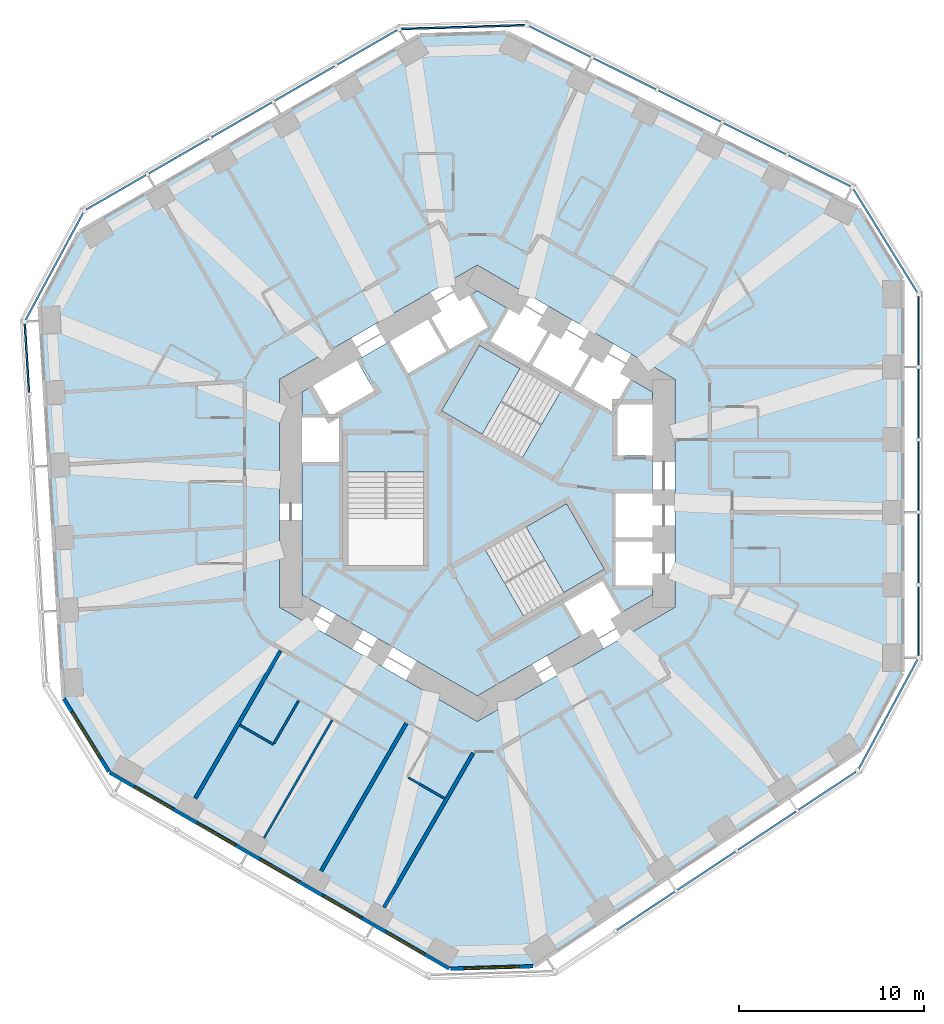
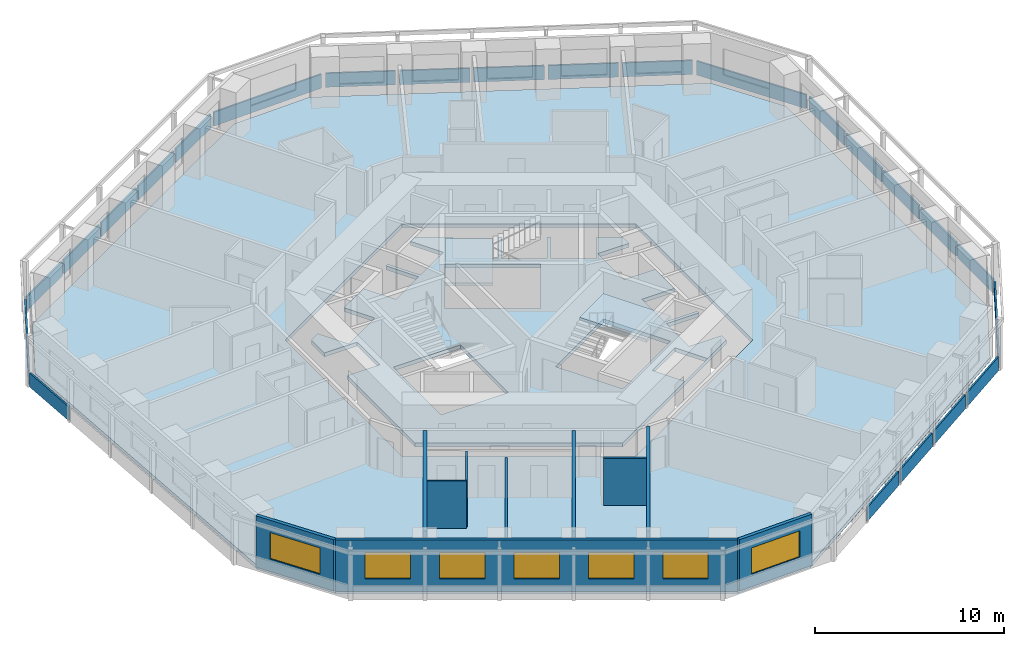
# One storey, part 3 of 12: 24 plates, 10 walls, 7 windows, 4 slabs, 7 openings, 11 elements without a shape of their own.
"""IFC4 building model written with IfcOpenShell, lengths in metres."""

from ifc_helpers import new_model, si_unit, direction, frame, frame_2d, origin, origin_2d, place, context, subcontext, project, spatial, polyline, rectangle, outline, extrude, material, layer, layer_set, type_object, element, fill, aggregate, save


model = new_model("IFC4")

# Units and contexts
model_context = context("Model", 3, precision=1e-05, world=origin(), true_north=direction((0.0, 1.0)))
body_context = subcontext(model_context, "Body", "Model", "MODEL_VIEW")
ifc_project = project(units=[si_unit("LENGTHUNIT", "METRE"), si_unit("AREAUNIT", "SQUARE_METRE"), si_unit("VOLUMEUNIT", "CUBIC_METRE"), si_unit("PLANEANGLEUNIT", "RADIAN"), si_unit("MASSUNIT", "GRAM", prefix="KILO")], contexts=[model_context])

# Site, building, storey
site_placement = place(None, origin())
site = spatial("IfcSite", under=ifc_project, at=site_placement, CompositionType="ELEMENT")
building_placement = place(site_placement, origin())
building = spatial("IfcBuilding", under=site, at=building_placement, Name="Vanh Sen Convention Tower", CompositionType="ELEMENT")
storey_placement = place(building_placement, frame((0.0, 0.0, 53.89990234375)))
storey = spatial("IfcBuildingStorey", under=building, at=storey_placement, Name="L10", CompositionType="ELEMENT", Elevation=53.89990234375)

# Slabs
ifc_material_1 = material(Name="Concrete C40/50", Category="concrete")
ifc_layer_1 = layer(ifc_material_1, 0.25)
ifc_layer_set_1 = layer_set([ifc_layer_1], Name="Concrete C40/50")
slab_type_1 = type_object("IfcSlabType", Name="Core slab 250", PredefinedType="FLOOR", material=ifc_layer_set_1)
slab_1_placement = place(storey_placement, frame((0.0, 0.0, -0.25)))
element("IfcSlab", 1, at=slab_1_placement, inside=storey, type_object=slab_type_1, Name="Core slab L10", PredefinedType="FLOOR", context=body_context, shape_type="SweptSolid", body=[
    extrude(outline(polyline([(9.5, 5.48486328125), (9.5, 4.800048828125), (7.60009765625, 4.800048828125), (7.60009765625, 2.050048828125), (9.5, 2.050048828125), (9.5, 0.0), (7.5, 0.0), (7.5, -2.39990234375), (9.5, -2.39990234375), (9.5, -2.60009765625), (7.5, -2.60009765625), (7.5, -5.0), (9.5, -5.0), (9.5, -5.48486328125), (0.0, -10.9697265625), (-9.5, -5.48486328125), (-9.5, 1.699951171875), (-7.5, 1.699951171875), (-7.5, 4.10009765625), (-9.5, 4.10009765625), (-9.5, 5.48486328125), (-8.906982421875, 5.8271484375), (-7.956787109375, 4.181884765625), (-5.575439453125, 5.556884765625), (-6.525390625, 7.2021484375), (-4.75, 8.227294921875), (-3.75, 6.4951171875), (-1.67138671875, 7.6953125), (-2.67138671875, 9.42724609375), (-2.498291015625, 9.527099609375), (-1.498291015625, 7.795166015625), (0.580078125, 8.9951171875), (-0.419921875, 10.727294921875), (0.0, 10.9697265625), (1.718994140625, 9.977294921875), (0.718994140625, 8.2451171875), (2.79736328125, 7.045166015625), (3.79736328125, 8.777099609375), (3.970703125, 8.67724609375), (2.970703125, 6.9453125), (5.049072265625, 5.7451171875), (6.049072265625, 7.477294921875), (6.22216796875, 7.377197265625), (5.22216796875, 5.645263671875), (7.30078125, 4.4453125), (8.30078125, 6.17724609375), (9.5, 5.48486328125)]), holes=[polyline([(-7.0, 3.14990234375), (-7.0, -3.909912109375), (-2.89990234375, -3.909912109375), (-2.89990234375, 3.14990234375), (-2.89990234375, 1.1494140625), (-7.0, 1.1494140625), (-7.0, 3.14990234375)]), polyline([(4.495361328125, 5.487548828125), (6.22802734375, 4.4873046875), (0.11376953125, 8.01708984375), (-1.936279296875, 4.466552734375), (2.4453125, 1.936767578125), (4.495361328125, 5.487548828125)]), polyline([(7.781005859375, -6.477294921875), (6.781005859375, -4.7451171875), (4.70263671875, -5.9453125), (5.70263671875, -7.67724609375), (7.781005859375, -6.477294921875)]), polyline([(0.45458984375, -3.086181640625), (2.504638671875, -6.63671875), (6.88623046875, -4.107177734375), (4.836181640625, -0.556396484375), (-1.278076171875, -4.08642578125), (0.45458984375, -3.086181640625)])]), origin(), (0.0, 0.0, 1.0), 0.25),
])
ifc_layer_2 = layer(ifc_material_1, 0.25)
ifc_layer_set_2 = layer_set([ifc_layer_2], Name="Concrete C40/50")
slab_type_2 = type_object("IfcSlabType", Name="Floor slab 250 REI 120", PredefinedType="FLOOR", material=ifc_layer_set_2)
slab_2_placement = place(storey_placement, frame((0.0, 0.0, -0.25)))
element("IfcSlab", 2, at=slab_2_placement, inside=storey, type_object=slab_type_2, Name="Floor slab L10 tower", PredefinedType="FLOOR", context=body_context, shape_type="SweptSolid", body=[
    extrude(outline(polyline([(23.0, -9.69921875), (23.0, 11.57373046875), (20.620361328125, 15.419189453125), (1.58251953125, 24.911376953125), (-3.10009765625, 24.768310546875), (-21.523193359375, 14.131591796875), (-23.663818359375, 10.14794921875), (-22.364990234375, -11.085205078125), (-19.89990234375, -15.069091796875), (-1.476806640625, -25.705322265625), (3.04345703125, -25.5673828125), (20.78271484375, -13.825927734375), (23.0, -9.69921875)]), holes=[polyline([(0.0, 12.355224609375), (-10.699951171875, 6.177490234375), (-10.699951171875, -6.177490234375), (0.0, -12.355224609375), (10.699951171875, -6.177490234375), (10.699951171875, 6.177490234375), (0.0, 12.355224609375)])]), origin(), (0.0, 0.0, 1.0), 0.25),
])

# Curtain wall, plates
ifc_material_2 = material(Name="Concrete C50/60", Category="concrete")
curtain_wall_type = type_object("IfcCurtainWallType", Name="Outer skin hotel zone", PredefinedType="NOTDEFINED", material=ifc_material_2)
curtain_wall_1_placement = place(storey_placement, origin())
curtain_wall_1 = element("IfcCurtainWall", 3, at=curtain_wall_1_placement, inside=storey, type_object=curtain_wall_type, Name="OUTER SKIN E L10", PredefinedType="NOTDEFINED")
ifc_layer_3 = layer(ifc_material_2, 0.10009765625)
ifc_layer_set_3 = layer_set([ifc_layer_3], Name="Concrete C50/60")
plate_type = type_object("IfcPlateType", Name="Outer skin precast screen panel 100", PredefinedType="CURTAIN_PANEL", material=ifc_layer_set_3)
plate_1_placement = place(storey_placement, frame((23.89990234375, -6.91943359375, 0.000244140625), z_axis=(0.0, 0.0, 1.0), x_axis=(0.0, 1.0, 0.0)))
plate_1 = element("IfcPlate", 4, at=plate_1_placement, type_object=plate_type, Name="OUTER SKIN screen panel E-1", PredefinedType="CURTAIN_PANEL", context=body_context, shape_type="SweptSolid", body=[
    extrude(rectangle(XDim=3.709716796875, YDim=0.10009765625, at=origin_2d()), origin(), (0.0, 0.0, 1.0), 0.89990234375),
])
plate_2_placement = place(storey_placement, frame((23.89990234375, -2.997314453125, 0.000244140625), z_axis=(0.0, 0.0, 1.0), x_axis=(0.0, 1.0, 0.0)))
plate_2 = element("IfcPlate", 5, at=plate_2_placement, type_object=plate_type, Name="OUTER SKIN screen panel E-2", PredefinedType="CURTAIN_PANEL", context=body_context, shape_type="SweptSolid", body=[
    extrude(rectangle(XDim=3.734619140625, YDim=0.10009765625, at=origin_2d()), origin(), (0.0, 0.0, 1.0), 0.89990234375),
])
plate_3_placement = place(storey_placement, frame((23.89990234375, 0.937255859375, 0.000244140625), z_axis=(0.0, 0.0, 1.0), x_axis=(0.0, 1.0, 0.0)))
plate_3 = element("IfcPlate", 6, at=plate_3_placement, type_object=plate_type, Name="OUTER SKIN screen panel E-3", PredefinedType="CURTAIN_PANEL", context=body_context, shape_type="SweptSolid", body=[
    extrude(rectangle(XDim=3.734619140625, YDim=0.10009765625, at=origin_2d()), origin(), (0.0, 0.0, 1.0), 0.89990234375),
])
plate_4_placement = place(storey_placement, frame((23.89990234375, 4.871826171875, 0.000244140625), z_axis=(0.0, 0.0, 1.0), x_axis=(0.0, 1.0, 0.0)))
plate_4 = element("IfcPlate", 7, at=plate_4_placement, type_object=plate_type, Name="OUTER SKIN screen panel E-4", PredefinedType="CURTAIN_PANEL", context=body_context, shape_type="SweptSolid", body=[
    extrude(rectangle(XDim=3.734619140625, YDim=0.10009765625, at=origin_2d()), origin(), (0.0, 0.0, 1.0), 0.89990234375),
])
plate_5_placement = place(storey_placement, frame((23.89990234375, 8.7939453125, 0.000244140625), z_axis=(0.0, 0.0, 1.0), x_axis=(0.0, 1.0, 0.0)))
plate_5 = element("IfcPlate", 8, at=plate_5_placement, type_object=plate_type, Name="OUTER SKIN screen panel E-5", PredefinedType="CURTAIN_PANEL", context=body_context, shape_type="SweptSolid", body=[
    extrude(rectangle(XDim=3.709716796875, YDim=0.10009765625, at=origin_2d()), origin(), (0.0, 0.0, 1.0), 0.89990234375),
])
aggregate(curtain_wall_1, [plate_1, plate_2, plate_3, plate_4, plate_5])

# Curtain wall, plate
curtain_wall_2_placement = place(storey_placement, origin())
curtain_wall_2 = element("IfcCurtainWall", 9, at=curtain_wall_2_placement, inside=storey, type_object=curtain_wall_type, Name="OUTER SKIN CH1 L10", PredefinedType="NOTDEFINED")
plate_6_placement = place(storey_placement, frame((22.102783203125, 13.677734375, 0.000244140625), z_axis=(0.0, 0.0, 1.0), x_axis=(-0.526212439506, 0.850353143411, 0.0)))
plate_6 = element("IfcPlate", 10, at=plate_6_placement, type_object=plate_type, Name="OUTER SKIN screen panel CH1-1", PredefinedType="CURTAIN_PANEL", context=body_context, shape_type="SweptSolid", body=[
    extrude(rectangle(XDim=6.580078125, YDim=0.10009765625, at=origin_2d()), origin(), (0.0, 0.0, 1.0), 0.89990234375),
])
aggregate(curtain_wall_2, [plate_6])

# Curtain wall, plates
curtain_wall_3_placement = place(storey_placement, origin())
curtain_wall_3 = element("IfcCurtainWall", 11, at=curtain_wall_3_placement, inside=storey, type_object=curtain_wall_type, Name="OUTER SKIN NE L10", PredefinedType="NOTDEFINED")
plate_7_placement = place(storey_placement, frame((18.5341796875, 17.465087890625, 0.000244140625), z_axis=(0.0, 0.0, 1.0), x_axis=(-0.894935140363, 0.446196251154, 0.0)))
plate_7 = element("IfcPlate", 12, at=plate_7_placement, type_object=plate_type, Name="OUTER SKIN screen panel NE-1", PredefinedType="CURTAIN_PANEL", context=body_context, shape_type="SweptSolid", body=[
    extrude(rectangle(XDim=3.709716796875, YDim=0.10009765625, at=origin_2d()), origin(), (0.0, 0.0, 1.0), 0.89990234375),
])
plate_8_placement = place(storey_placement, frame((15.024169921875, 19.215087890625, 0.000244140625), z_axis=(0.0, 0.0, 1.0), x_axis=(-0.894935140363, 0.446196251154, 0.0)))
plate_8 = element("IfcPlate", 13, at=plate_8_placement, type_object=plate_type, Name="OUTER SKIN screen panel NE-2", PredefinedType="CURTAIN_PANEL", context=body_context, shape_type="SweptSolid", body=[
    extrude(rectangle(XDim=3.734619140625, YDim=0.10009765625, at=origin_2d()), origin(), (0.0, 0.0, 1.0), 0.89990234375),
])
plate_9_placement = place(storey_placement, frame((11.5029296875, 20.970703125, 0.000244140625), z_axis=(0.0, 0.0, 1.0), x_axis=(-0.894935140363, 0.446196251154, 0.0)))
plate_9 = element("IfcPlate", 14, at=plate_9_placement, type_object=plate_type, Name="OUTER SKIN screen panel NE-3", PredefinedType="CURTAIN_PANEL", context=body_context, shape_type="SweptSolid", body=[
    extrude(rectangle(XDim=3.734619140625, YDim=0.10009765625, at=origin_2d()), origin(), (0.0, 0.0, 1.0), 0.89990234375),
])
plate_10_placement = place(storey_placement, frame((7.981689453125, 22.726318359375, 0.000244140625), z_axis=(0.0, 0.0, 1.0), x_axis=(-0.894935140363, 0.446196251154, 0.0)))
plate_10 = element("IfcPlate", 15, at=plate_10_placement, type_object=plate_type, Name="OUTER SKIN screen panel NE-4", PredefinedType="CURTAIN_PANEL", context=body_context, shape_type="SweptSolid", body=[
    extrude(rectangle(XDim=3.734619140625, YDim=0.10009765625, at=origin_2d()), origin(), (0.0, 0.0, 1.0), 0.89990234375),
])
plate_11_placement = place(storey_placement, frame((4.4716796875, 24.476318359375, 0.000244140625), z_axis=(0.0, 0.0, 1.0), x_axis=(-0.894935140363, 0.446196251154, 0.0)))
plate_11 = element("IfcPlate", 16, at=plate_11_placement, type_object=plate_type, Name="OUTER SKIN screen panel NE-5", PredefinedType="CURTAIN_PANEL", context=body_context, shape_type="SweptSolid", body=[
    extrude(rectangle(XDim=3.709716796875, YDim=0.10009765625, at=origin_2d()), origin(), (0.0, 0.0, 1.0), 0.89990234375),
])
aggregate(curtain_wall_3, [plate_7, plate_8, plate_9, plate_10, plate_11])

# Curtain wall, plate
curtain_wall_4_placement = place(storey_placement, origin())
curtain_wall_4 = element("IfcCurtainWall", 17, at=curtain_wall_4_placement, inside=storey, type_object=curtain_wall_type, Name="OUTER SKIN CH2 L10", PredefinedType="NOTDEFINED")
plate_12_placement = place(storey_placement, frame((-0.771484375, 25.253662109375, 0.000244140625), z_axis=(0.0, 0.0, 1.0), x_axis=(-0.999533644135, -0.030536768695, 0.0)))
plate_12 = element("IfcPlate", 18, at=plate_12_placement, type_object=plate_type, Name="OUTER SKIN screen panel CH2-1", PredefinedType="CURTAIN_PANEL", context=body_context, shape_type="SweptSolid", body=[
    extrude(rectangle(XDim=6.696044921875, YDim=0.10009765625, at=origin_2d()), origin(), (0.0, 0.0, 1.0), 0.89990234375),
])
aggregate(curtain_wall_4, [plate_12])

# Curtain wall, plates
curtain_wall_5_placement = place(storey_placement, origin())
curtain_wall_5 = element("IfcCurtainWall", 19, at=curtain_wall_5_placement, inside=storey, type_object=curtain_wall_type, Name="OUTER SKIN NW L10", PredefinedType="NOTDEFINED")
plate_13_placement = place(storey_placement, frame((-5.95751953125, 24.15771484375, 0.000244140625), z_axis=(0.0, 0.0, 1.0), x_axis=(-0.866028021766, -0.499995465495, 0.0)))
plate_13 = element("IfcPlate", 20, at=plate_13_placement, type_object=plate_type, Name="OUTER SKIN screen panel NW-1", PredefinedType="CURTAIN_PANEL", context=body_context, shape_type="SweptSolid", body=[
    extrude(rectangle(XDim=3.709716796875, YDim=0.10009765625, at=origin_2d()), origin(), (0.0, 0.0, 1.0), 0.89990234375),
])
plate_14_placement = place(storey_placement, frame((-9.354248046875, 22.19677734375, 0.000244140625), z_axis=(0.0, 0.0, 1.0), x_axis=(-0.866021040428, -0.500007557478, 0.0)))
plate_14 = element("IfcPlate", 21, at=plate_14_placement, type_object=plate_type, Name="OUTER SKIN screen panel NW-2", PredefinedType="CURTAIN_PANEL", context=body_context, shape_type="SweptSolid", body=[
    extrude(rectangle(XDim=3.734619140625, YDim=0.10009765625, at=origin_2d()), origin(), (0.0, 0.0, 1.0), 0.89990234375),
])
plate_15_placement = place(storey_placement, frame((-12.76171875, 20.2294921875, 0.000244140625), z_axis=(0.0, 0.0, 1.0), x_axis=(-0.866028021766, -0.499995465495, 0.0)))
plate_15 = element("IfcPlate", 22, at=plate_15_placement, type_object=plate_type, Name="OUTER SKIN screen panel NW-3", PredefinedType="CURTAIN_PANEL", context=body_context, shape_type="SweptSolid", body=[
    extrude(rectangle(XDim=3.734619140625, YDim=0.10009765625, at=origin_2d()), origin(), (0.0, 0.0, 1.0), 0.89990234375),
])
plate_16_placement = place(storey_placement, frame((-16.169189453125, 18.26220703125, 0.000244140625), z_axis=(0.0, 0.0, 1.0), x_axis=(-0.866028021766, -0.499995465495, 0.0)))
plate_16 = element("IfcPlate", 23, at=plate_16_placement, type_object=plate_type, Name="OUTER SKIN screen panel NW-4", PredefinedType="CURTAIN_PANEL", context=body_context, shape_type="SweptSolid", body=[
    extrude(rectangle(XDim=3.734619140625, YDim=0.10009765625, at=origin_2d()), origin(), (0.0, 0.0, 1.0), 0.89990234375),
])
plate_17_placement = place(storey_placement, frame((-19.56591796875, 16.301025390625, 0.000244140625), z_axis=(0.0, 0.0, 1.0), x_axis=(-0.866021040428, -0.500007557478, 0.0)))
plate_17 = element("IfcPlate", 24, at=plate_17_placement, type_object=plate_type, Name="OUTER SKIN screen panel NW-5", PredefinedType="CURTAIN_PANEL", context=body_context, shape_type="SweptSolid", body=[
    extrude(rectangle(XDim=3.70947265625, YDim=0.10009765625, at=origin_2d()), origin(), (0.0, 0.0, 1.0), 0.89990234375),
])
aggregate(curtain_wall_5, [plate_13, plate_14, plate_15, plate_16, plate_17])

# Curtain wall, plate
curtain_wall_6_placement = place(storey_placement, origin())
curtain_wall_6 = element("IfcCurtainWall", 25, at=curtain_wall_6_placement, inside=storey, type_object=curtain_wall_type, Name="OUTER SKIN CH3 L10", PredefinedType="NOTDEFINED")
plate_18_placement = place(storey_placement, frame((-22.896728515625, 12.302978515625, 0.000244140625), z_axis=(0.0, 0.0, 1.0), x_axis=(-0.47331812974, -0.880891564303, 0.0)))
plate_18 = element("IfcPlate", 26, at=plate_18_placement, type_object=plate_type, Name="OUTER SKIN screen panel CH3-1", PredefinedType="CURTAIN_PANEL", context=body_context, shape_type="SweptSolid", body=[
    extrude(rectangle(XDim=6.580078125, YDim=0.10009765625, at=origin_2d()), origin(), (0.0, 0.0, 1.0), 0.89990234375),
])
aggregate(curtain_wall_6, [plate_18])

curtain_wall_7_placement = place(storey_placement, origin())
curtain_wall_7 = element("IfcCurtainWall", 27, at=curtain_wall_7_placement, inside=storey, type_object=curtain_wall_type, Name="OUTER SKIN W L10", PredefinedType="NOTDEFINED")
plate_19_placement = place(storey_placement, frame((-24.39208984375, 7.318603515625, 0.000244140625), z_axis=(0.0, 0.0, 1.0), x_axis=(0.061046797461, -0.99813490497, 0.0)))
plate_19 = element("IfcPlate", 28, at=plate_19_placement, type_object=plate_type, Name="OUTER SKIN screen panel W-1", PredefinedType="CURTAIN_PANEL", context=body_context, shape_type="SweptSolid", body=[
    extrude(rectangle(XDim=3.709716796875, YDim=0.10009765625, at=origin_2d()), origin(), (0.0, 0.0, 1.0), 0.89990234375),
])
aggregate(curtain_wall_7, [plate_19])

# Curtain wall, plates
curtain_wall_8_placement = place(storey_placement, origin())
curtain_wall_8 = element("IfcCurtainWall", 29, at=curtain_wall_8_placement, inside=storey, type_object=curtain_wall_type, Name="OUTER SKIN SE L10", PredefinedType="NOTDEFINED")
plate_20_placement = place(storey_placement, frame((9.128662109375, -22.618896484375, 0.000244140625), z_axis=(0.0, 0.0, 1.0), x_axis=(0.833891601892, 0.55192825285, 0.0)))
plate_20 = element("IfcPlate", 30, at=plate_20_placement, type_object=plate_type, Name="OUTER SKIN screen panel SE-2", PredefinedType="CURTAIN_PANEL", context=body_context, shape_type="SweptSolid", body=[
    extrude(rectangle(XDim=3.734619140625, YDim=0.10009765625, at=origin_2d()), origin(), (0.0, 0.0, 1.0), 0.89990234375),
])
plate_21_placement = place(storey_placement, frame((12.40966796875, -20.447265625, 0.000244140625), z_axis=(0.0, 0.0, 1.0), x_axis=(0.833880042151, 0.551945717714, 0.0)))
plate_21 = element("IfcPlate", 31, at=plate_21_placement, type_object=plate_type, Name="OUTER SKIN screen panel SE-3", PredefinedType="CURTAIN_PANEL", context=body_context, shape_type="SweptSolid", body=[
    extrude(rectangle(XDim=3.734619140625, YDim=0.10009765625, at=origin_2d()), origin(), (0.0, 0.0, 1.0), 0.89990234375),
])
plate_22_placement = place(storey_placement, frame((15.690673828125, -18.275390625, 0.000244140625), z_axis=(0.0, 0.0, 1.0), x_axis=(0.833891601892, 0.55192825285, 0.0)))
plate_22 = element("IfcPlate", 32, at=plate_22_placement, type_object=plate_type, Name="OUTER SKIN screen panel SE-4", PredefinedType="CURTAIN_PANEL", context=body_context, shape_type="SweptSolid", body=[
    extrude(rectangle(XDim=3.734619140625, YDim=0.10009765625, at=origin_2d()), origin(), (0.0, 0.0, 1.0), 0.89990234375),
])
plate_23_placement = place(storey_placement, frame((18.961181640625, -16.11083984375, 0.000244140625), z_axis=(0.0, 0.0, 1.0), x_axis=(0.833880042151, 0.551945717714, 0.0)))
plate_23 = element("IfcPlate", 33, at=plate_23_placement, type_object=plate_type, Name="OUTER SKIN screen panel SE-5", PredefinedType="CURTAIN_PANEL", context=body_context, shape_type="SweptSolid", body=[
    extrude(rectangle(XDim=3.709716796875, YDim=0.10009765625, at=origin_2d()), origin(), (0.0, 0.0, 1.0), 0.89990234375),
])
aggregate(curtain_wall_8, [plate_20, plate_21, plate_22, plate_23])

# Curtain wall, plate
curtain_wall_9_placement = place(storey_placement, origin())
curtain_wall_9 = element("IfcCurtainWall", 34, at=curtain_wall_9_placement, inside=storey, type_object=curtain_wall_type, Name="OUTER SKIN CH6 L10", PredefinedType="NOTDEFINED")
plate_24_placement = place(storey_placement, frame((22.256103515625, -11.95849609375, 0.000244140625), z_axis=(0.0, 0.0, 1.0), x_axis=(0.473322742071, 0.880889086003, 0.0)))
plate_24 = element("IfcPlate", 35, at=plate_24_placement, type_object=plate_type, Name="OUTER SKIN screen panel CH6-1", PredefinedType="CURTAIN_PANEL", context=body_context, shape_type="SweptSolid", body=[
    extrude(rectangle(XDim=6.6962890625, YDim=0.10009765625, at=origin_2d()), origin(), (0.0, 0.0, 1.0), 0.89990234375),
])
aggregate(curtain_wall_9, [plate_24])

# Stair, slab
ifc_material_3 = material(Name="Concrete C50/60", Category="concrete")
stair_type_1 = type_object("IfcStairType", Name="Exit stair ST1 20 risers at 165.0", PredefinedType="HALF_TURN_STAIR", material=ifc_material_3)
stair_1_placement = place(storey_placement, origin())
stair_1 = element("IfcStair", 36, at=stair_1_placement, inside=storey, type_object=stair_type_1, Name="Exit stair ST1 L10", PredefinedType="HALF_TURN_STAIR")
ifc_layer_4 = layer(ifc_material_1, 0.199951171875)
ifc_layer_set_4 = layer_set([ifc_layer_4], Name="Concrete C40/50")
slab_type_3 = type_object("IfcSlabType", Name="Stair landing 200", PredefinedType="LANDING", material=ifc_layer_set_4)
slab_3_placement = place(storey_placement, frame((0.0, 0.0, 1.4501953125)))
slab_3 = element("IfcSlab", 37, at=slab_3_placement, type_object=slab_type_3, Name="ST1 landing 1", PredefinedType="LANDING", context=body_context, shape_type="SweptSolid", body=[
    extrude(outline(polyline([(2.314208984375, 6.746826171875), (0.11376953125, 8.01708984375), (-1.936279296875, 4.466552734375), (0.26416015625, 3.196044921875), (2.314208984375, 6.746826171875)])), origin(), (0.0, 0.0, 1.0), 0.199951171875),
])
aggregate(stair_1, [slab_3])

stair_type_2 = type_object("IfcStairType", Name="Exit stair ST3 20 risers at 165.0", PredefinedType="HALF_TURN_STAIR", material=ifc_material_3)
stair_2_placement = place(storey_placement, origin())
stair_2 = element("IfcStair", 38, at=stair_2_placement, inside=storey, type_object=stair_type_2, Name="Exit stair ST3 L10", PredefinedType="HALF_TURN_STAIR")
slab_4_placement = place(storey_placement, frame((0.0, 0.0, 1.4501953125)))
slab_4 = element("IfcSlab", 39, at=slab_4_placement, type_object=slab_type_3, Name="ST3 landing 1", PredefinedType="LANDING", context=body_context, shape_type="SweptSolid", body=[
    extrude(outline(polyline([(4.685791015625, -5.37744140625), (6.88623046875, -4.107177734375), (4.836181640625, -0.556396484375), (2.6357421875, -1.826904296875), (4.685791015625, -5.37744140625)])), origin(), (0.0, 0.0, 1.0), 0.199951171875),
])
aggregate(stair_2, [slab_4])

# Walls
ifc_material_4 = material(Name="Moisture-resistant gypsum board on steel studs", Category="steel")
ifc_layer_5 = layer(ifc_material_4, 0.1201171875)
ifc_layer_set_5 = layer_set([ifc_layer_5], Name="Moisture-resistant gypsum board on steel studs")
wall_type_1 = type_object("IfcWallType", Name="Bathroom partition 120", PredefinedType="PARTITIONING", material=ifc_layer_set_5)
wall_1_placement = place(storey_placement, frame((-12.86279296875, -12.5498046875, 0.0), z_axis=(0.0, 0.0, 1.0), x_axis=(0.866009402589, -0.500027713859, 0.0)))
element("IfcWall", 40, at=wall_1_placement, inside=storey, type_object=wall_type_1, Name="Bathroom partition 120", PredefinedType="PARTITIONING", context=body_context, shape_type="SweptSolid", body=[
    extrude(rectangle(XDim=2.10009765625, YDim=0.1201171875, at=frame_2d((1.050048828125, 0.0))), origin(), (0.0, 0.0, 1.0), 3.050048828125),
])
wall_2_placement = place(storey_placement, frame((-11.550537109375, -18.677001953125, 0.0), z_axis=(0.0, 0.0, 1.0), x_axis=(0.500008425378, 0.866020539336, 0.0)))
element("IfcWall", 41, at=wall_2_placement, inside=storey, type_object=wall_type_1, Name="Bathroom partition 120", PredefinedType="PARTITIONING", context=body_context, shape_type="SweptSolid", body=[
    extrude(rectangle(XDim=7.389892578125, YDim=0.1201171875, at=frame_2d((3.69482421875, 0.0))), origin(), (0.0, 0.0, 1.0), 2.60009765625),
])
wall_3_placement = place(storey_placement, frame((-11.01416015625, -13.5478515625, 0.0), z_axis=(0.0, 0.0, 1.0), x_axis=(0.499980071345, 0.866036909293, 0.0)))
element("IfcWall", 42, at=wall_3_placement, inside=storey, type_object=wall_type_1, Name="Bathroom partition 120", PredefinedType="PARTITIONING", context=body_context, shape_type="SweptSolid", body=[
    extrude(rectangle(XDim=2.6796875, YDim=0.1201171875, at=frame_2d((1.33984375, 0.0))), origin(), (0.0, 0.0, 1.0), 3.050048828125),
])
wall_4_placement = place(storey_placement, frame((-1.763671875, -16.533203125, 0.0), z_axis=(0.0, 0.0, 1.0), x_axis=(-0.866008641419, 0.500029032144, 0.0)))
element("IfcWall", 43, at=wall_4_placement, inside=storey, type_object=wall_type_1, Name="Bathroom partition 120", PredefinedType="PARTITIONING", context=body_context, shape_type="SweptSolid", body=[
    extrude(rectangle(XDim=2.274658203125, YDim=0.1201171875, at=frame_2d((1.13720703125, 0.0))), origin(), (0.0, 0.0, 1.0), 3.050048828125),
])

# Wall, opening, window
ifc_material_5 = material(Name="Insulated lightweight infill wall")
ifc_layer_6 = layer(ifc_material_5, 0.199951171875)
ifc_layer_set_6 = layer_set([ifc_layer_6], Name="Insulated lightweight infill wall")
wall_type_2 = type_object("IfcWallType", Name="External wall 200", PredefinedType="STANDARD", material=ifc_layer_set_6)
wall_5_placement = place(storey_placement, frame((-22.40087890625, -11.122314453125, 0.0), z_axis=(0.0, 0.0, 1.0), x_axis=(0.526197679914, -0.850362276711, 0.0)))
wall_5 = element("IfcWall", 44, at=wall_5_placement, inside=storey, type_object=wall_type_2, Name="External wall CH4 L10", PredefinedType="STANDARD", context=body_context, shape_type="SweptSolid", body=[
    extrude(rectangle(XDim=4.65966796875, YDim=0.199951171875, at=frame_2d((2.329833984375, 0.0))), origin(), (0.0, 0.0, 1.0), 3.300048828125),
])
opening_1_placement = place(wall_5_placement, frame((0.829833984375, 0.0, 0.800048828125)))
opening_1 = element("IfcOpeningElement", 45, at=opening_1_placement, cuts=wall_5, Name="Opening WH2-CH41", PredefinedType="OPENING", context=body_context, shape_type="SweptSolid", body=[
    extrude(rectangle(XDim=3.0, YDim=1.699951171875, at=frame_2d((1.5, 0.85009765625))), frame((0.0, 0.10986328125, 0.0), z_axis=(0.0, -1.0, 0.0), x_axis=(1.0, 0.0, 0.0)), (0.0, 0.0, 1.0), 0.219970703125),
])
ifc_material_6 = material(Name="Aluminium frame with clear low-emissivity glass", Category="aluminium")
window_type_1 = type_object("IfcWindowType", Name="Hotel window 3000 x 1700", PartitioningType="SINGLE_PANEL", PredefinedType="WINDOW", material=ifc_material_6)
window_1_placement = place(opening_1_placement, origin())
window_1 = element("IfcWindow", 46, at=window_1_placement, inside=storey, type_object=window_type_1, Name="Window WH2-CH41", OverallHeight=1.699951171875, OverallWidth=3.0, PartitioningType="SINGLE_PANEL", PredefinedType="WINDOW", context=body_context, shape_type="SweptSolid", body=[
    extrude(rectangle(XDim=3.0, YDim=1.699951171875, at=frame_2d((1.5, 0.85009765625))), frame((0.0, 0.030029296875, 0.0), z_axis=(0.0, -1.0, 0.0), x_axis=(1.0, 0.0, 0.0)), (0.0, 0.0, 1.0), 0.06005859375),
])
fill(opening_1, window_1)

# Wall, openings, windows
wall_6_placement = place(storey_placement, frame((-19.913818359375, -15.11865234375, 0.0), z_axis=(0.0, 0.0, 1.0), x_axis=(0.866025418898, -0.499999973822, 0.0)))
wall_6 = element("IfcWall", 47, at=wall_6_placement, inside=storey, type_object=wall_type_2, Name="External wall SW L10", PredefinedType="STANDARD", context=body_context, shape_type="SweptSolid", body=[
    extrude(rectangle(XDim=21.24609375, YDim=0.199951171875, at=frame_2d((10.623046875, 0.0))), origin(), (0.0, 0.0, 1.0), 3.300048828125),
])
opening_2_placement = place(wall_6_placement, frame((1.5546875, 0.0, 0.800048828125)))
opening_2 = element("IfcOpeningElement", 48, at=opening_2_placement, cuts=wall_6, Name="Opening WH1-SW1", PredefinedType="OPENING", context=body_context, shape_type="SweptSolid", body=[
    extrude(rectangle(XDim=2.39990234375, YDim=1.699951171875, at=frame_2d((1.199951171875, 0.85009765625))), frame((0.0, 0.10986328125, 0.0), z_axis=(0.0, -1.0, 0.0), x_axis=(1.0, 0.0, 0.0)), (0.0, 0.0, 1.0), 0.219970703125),
])
opening_3_placement = place(wall_6_placement, frame((5.4892578125, 0.0, 0.800048828125)))
opening_3 = element("IfcOpeningElement", 49, at=opening_3_placement, cuts=wall_6, Name="Opening WH1-SW2", PredefinedType="OPENING", context=body_context, shape_type="SweptSolid", body=[
    extrude(rectangle(XDim=2.39990234375, YDim=1.699951171875, at=frame_2d((1.199951171875, 0.85009765625))), frame((0.0, 0.10986328125, 0.0), z_axis=(0.0, -1.0, 0.0), x_axis=(1.0, 0.0, 0.0)), (0.0, 0.0, 1.0), 0.219970703125),
])
opening_4_placement = place(wall_6_placement, frame((9.423828125, 0.0, 0.800048828125)))
opening_4 = element("IfcOpeningElement", 50, at=opening_4_placement, cuts=wall_6, Name="Opening WH1-SW3", PredefinedType="OPENING", context=body_context, shape_type="SweptSolid", body=[
    extrude(rectangle(XDim=2.39990234375, YDim=1.699951171875, at=frame_2d((1.199951171875, 0.85009765625))), frame((0.0, 0.10986328125, 0.0), z_axis=(0.0, -1.0, 0.0), x_axis=(1.0, 0.0, 0.0)), (0.0, 0.0, 1.0), 0.219970703125),
])
opening_5_placement = place(wall_6_placement, frame((13.3583984375, 0.0, 0.800048828125)))
opening_5 = element("IfcOpeningElement", 51, at=opening_5_placement, cuts=wall_6, Name="Opening WH1-SW4", PredefinedType="OPENING", context=body_context, shape_type="SweptSolid", body=[
    extrude(rectangle(XDim=2.39990234375, YDim=1.699951171875, at=frame_2d((1.199951171875, 0.85009765625))), frame((0.0, 0.10986328125, 0.0), z_axis=(0.0, -1.0, 0.0), x_axis=(1.0, 0.0, 0.0)), (0.0, 0.0, 1.0), 0.219970703125),
])
opening_6_placement = place(wall_6_placement, frame((17.293212890625, 0.0, 0.800048828125)))
opening_6 = element("IfcOpeningElement", 52, at=opening_6_placement, cuts=wall_6, Name="Opening WH1-SW5", PredefinedType="OPENING", context=body_context, shape_type="SweptSolid", body=[
    extrude(rectangle(XDim=2.39990234375, YDim=1.699951171875, at=frame_2d((1.199951171875, 0.85009765625))), frame((0.0, 0.10986328125, 0.0), z_axis=(0.0, -1.0, 0.0), x_axis=(1.0, 0.0, 0.0)), (0.0, 0.0, 1.0), 0.219970703125),
])
window_type_2 = type_object("IfcWindowType", Name="Hotel window 2400 x 1700", PartitioningType="SINGLE_PANEL", PredefinedType="WINDOW", material=ifc_material_6)
window_2_placement = place(opening_2_placement, origin())
window_2 = element("IfcWindow", 53, at=window_2_placement, inside=storey, type_object=window_type_2, Name="Window WH1-SW1", OverallHeight=1.699951171875, OverallWidth=2.39990234375, PartitioningType="SINGLE_PANEL", PredefinedType="WINDOW", context=body_context, shape_type="SweptSolid", body=[
    extrude(rectangle(XDim=2.39990234375, YDim=1.699951171875, at=frame_2d((1.199951171875, 0.85009765625))), frame((0.0, 0.030029296875, 0.0), z_axis=(0.0, -1.0, 0.0), x_axis=(1.0, 0.0, 0.0)), (0.0, 0.0, 1.0), 0.06005859375),
])
fill(opening_2, window_2)
window_3_placement = place(opening_3_placement, origin())
window_3 = element("IfcWindow", 54, at=window_3_placement, inside=storey, type_object=window_type_2, Name="Window WH1-SW2", OverallHeight=1.699951171875, OverallWidth=2.39990234375, PartitioningType="SINGLE_PANEL", PredefinedType="WINDOW", context=body_context, shape_type="SweptSolid", body=[
    extrude(rectangle(XDim=2.39990234375, YDim=1.699951171875, at=frame_2d((1.199951171875, 0.85009765625))), frame((0.0, 0.030029296875, 0.0), z_axis=(0.0, -1.0, 0.0), x_axis=(1.0, 0.0, 0.0)), (0.0, 0.0, 1.0), 0.06005859375),
])
fill(opening_3, window_3)
window_4_placement = place(opening_4_placement, origin())
window_4 = element("IfcWindow", 55, at=window_4_placement, inside=storey, type_object=window_type_2, Name="Window WH1-SW3", OverallHeight=1.699951171875, OverallWidth=2.39990234375, PartitioningType="SINGLE_PANEL", PredefinedType="WINDOW", context=body_context, shape_type="SweptSolid", body=[
    extrude(rectangle(XDim=2.39990234375, YDim=1.699951171875, at=frame_2d((1.199951171875, 0.85009765625))), frame((0.0, 0.030029296875, 0.0), z_axis=(0.0, -1.0, 0.0), x_axis=(1.0, 0.0, 0.0)), (0.0, 0.0, 1.0), 0.06005859375),
])
fill(opening_4, window_4)
window_5_placement = place(opening_5_placement, origin())
window_5 = element("IfcWindow", 56, at=window_5_placement, inside=storey, type_object=window_type_2, Name="Window WH1-SW4", OverallHeight=1.699951171875, OverallWidth=2.39990234375, PartitioningType="SINGLE_PANEL", PredefinedType="WINDOW", context=body_context, shape_type="SweptSolid", body=[
    extrude(rectangle(XDim=2.39990234375, YDim=1.699951171875, at=frame_2d((1.199951171875, 0.85009765625))), frame((0.0, 0.030029296875, 0.0), z_axis=(0.0, -1.0, 0.0), x_axis=(1.0, 0.0, 0.0)), (0.0, 0.0, 1.0), 0.06005859375),
])
fill(opening_5, window_5)
window_6_placement = place(opening_6_placement, origin())
window_6 = element("IfcWindow", 57, at=window_6_placement, inside=storey, type_object=window_type_2, Name="Window WH1-SW5", OverallHeight=1.699951171875, OverallWidth=2.39990234375, PartitioningType="SINGLE_PANEL", PredefinedType="WINDOW", context=body_context, shape_type="SweptSolid", body=[
    extrude(rectangle(XDim=2.39990234375, YDim=1.699951171875, at=frame_2d((1.199951171875, 0.85009765625))), frame((0.0, 0.030029296875, 0.0), z_axis=(0.0, -1.0, 0.0), x_axis=(1.0, 0.0, 0.0)), (0.0, 0.0, 1.0), 0.06005859375),
])
fill(opening_6, window_6)

# Wall, opening, window
wall_7_placement = place(storey_placement, frame((-1.461181640625, -25.7548828125, 0.0), z_axis=(0.0, 0.0, 1.0), x_axis=(0.999533823446, 0.030530898895, 0.0)))
wall_7 = element("IfcWall", 58, at=wall_7_placement, inside=storey, type_object=wall_type_2, Name="External wall CH5 L10", PredefinedType="STANDARD", context=body_context, shape_type="SweptSolid", body=[
    extrude(rectangle(XDim=4.494140625, YDim=0.199951171875, at=frame_2d((2.2470703125, 0.0))), origin(), (0.0, 0.0, 1.0), 3.300048828125),
])
opening_7_placement = place(wall_7_placement, frame((0.7470703125, 0.0, 0.800048828125)))
opening_7 = element("IfcOpeningElement", 59, at=opening_7_placement, cuts=wall_7, Name="Opening WH2-CH51", PredefinedType="OPENING", context=body_context, shape_type="SweptSolid", body=[
    extrude(rectangle(XDim=3.0, YDim=1.699951171875, at=frame_2d((1.5, 0.85009765625))), frame((0.0, 0.10986328125, 0.0), z_axis=(0.0, -1.0, 0.0), x_axis=(1.0, 0.0, 0.0)), (0.0, 0.0, 1.0), 0.219970703125),
])
window_7_placement = place(opening_7_placement, origin())
window_7 = element("IfcWindow", 60, at=window_7_placement, inside=storey, type_object=window_type_1, Name="Window WH2-CH51", OverallHeight=1.699951171875, OverallWidth=3.0, PartitioningType="SINGLE_PANEL", PredefinedType="WINDOW", context=body_context, shape_type="SweptSolid", body=[
    extrude(rectangle(XDim=3.0, YDim=1.699951171875, at=frame_2d((1.5, 0.85009765625))), frame((0.0, 0.030029296875, 0.0), z_axis=(0.0, -1.0, 0.0), x_axis=(1.0, 0.0, 0.0)), (0.0, 0.0, 1.0), 0.06005859375),
])
fill(opening_7, window_7)

# Walls
ifc_material_7 = material(Name="Gypsum board on steel studs with mineral wool", Category="steel")
ifc_layer_7 = layer(ifc_material_7, 0.199951171875)
ifc_layer_set_7 = layer_set([ifc_layer_7], Name="Gypsum board on steel studs with mineral wool")
wall_type_3 = type_object("IfcWallType", Name="Hotel party wall 200", PredefinedType="PARTITIONING", material=ifc_layer_set_7)
wall_8_placement = place(storey_placement, frame((-15.2744140625, -16.527099609375, 0.0), z_axis=(0.0, 0.0, 1.0), x_axis=(0.49998823431, 0.866032196602, 0.0)))
element("IfcWall", 61, at=wall_8_placement, inside=storey, type_object=wall_type_3, Name="Hotel party wall 200", PredefinedType="PARTITIONING", context=body_context, shape_type="SweptSolid", body=[
    extrude(rectangle(XDim=9.250244140625, YDim=0.199951171875, at=frame_2d((4.625, 0.0))), origin(), (0.0, 0.0, 1.0), 3.050048828125),
])
wall_9_placement = place(storey_placement, frame((-8.459716796875, -20.46142578125, 0.0), z_axis=(0.0, 0.0, 1.0), x_axis=(0.499999662836, 0.866025598446, 0.0)))
element("IfcWall", 62, at=wall_9_placement, inside=storey, type_object=wall_type_3, Name="Hotel party wall 200", PredefinedType="PARTITIONING", context=body_context, shape_type="SweptSolid", body=[
    extrude(rectangle(XDim=9.25, YDim=0.199951171875, at=frame_2d((4.625, 0.0))), origin(), (0.0, 0.0, 1.0), 3.050048828125),
])
wall_10_placement = place(storey_placement, frame((-5.052001953125, -22.4287109375, 0.0), z_axis=(0.0, 0.0, 1.0), x_axis=(0.50000569793, 0.866022114058, 0.0)))
element("IfcWall", 63, at=wall_10_placement, inside=storey, type_object=wall_type_3, Name="Hotel party wall 200", PredefinedType="PARTITIONING", context=body_context, shape_type="SweptSolid", body=[
    extrude(rectangle(XDim=9.64990234375, YDim=0.199951171875, at=frame_2d((4.824951171875, 0.0))), origin(), (0.0, 0.0, 1.0), 3.050048828125),
])

save(model, "model.ifc")
